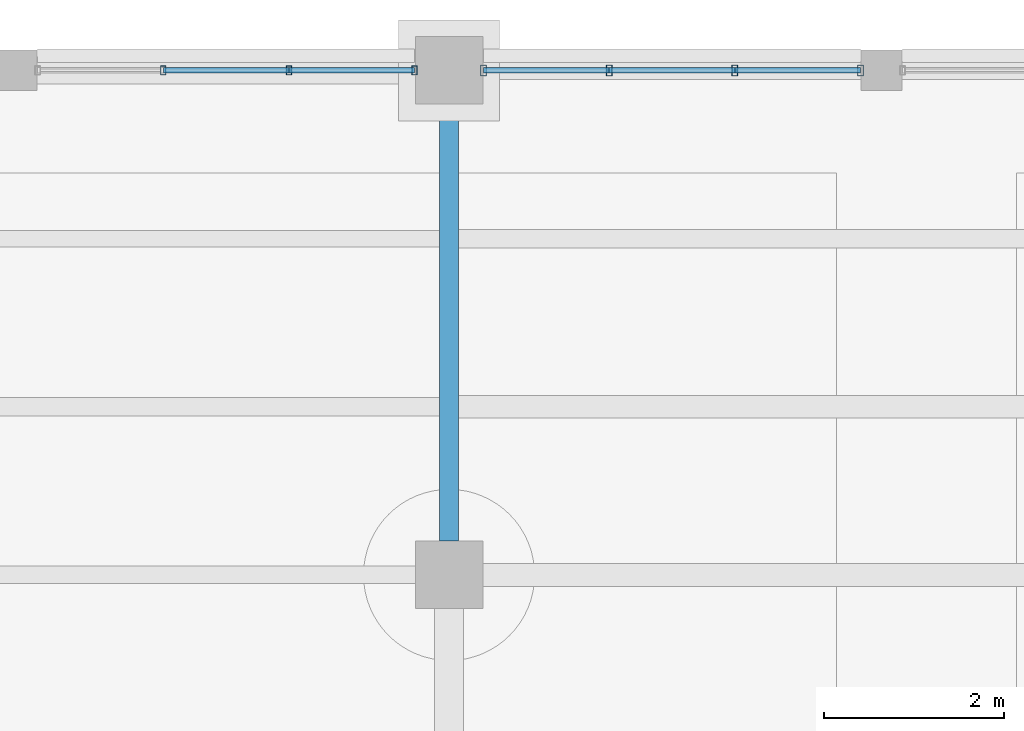
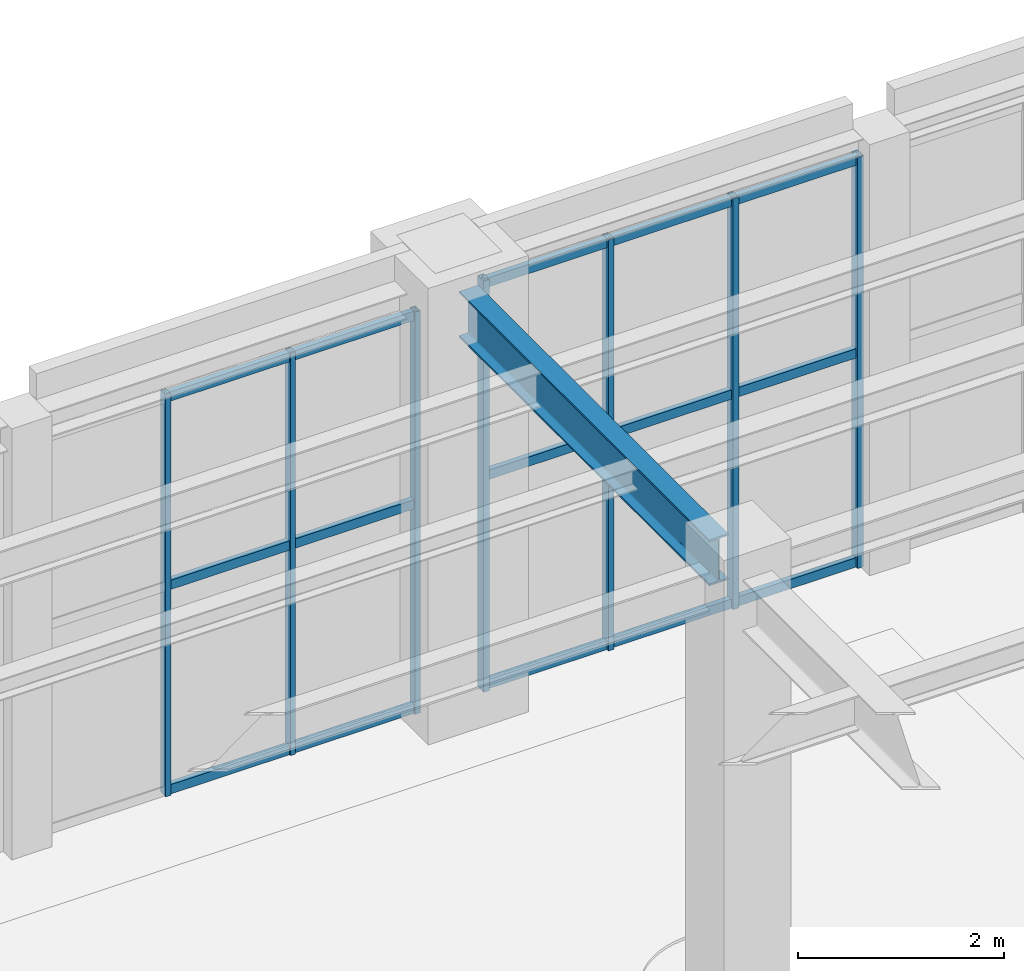
# One storey, part 77 of 164: 22 members, 1 beam, 2 elements without a shape of their own.
"""IFC4 building model written with IfcOpenShell, lengths in metres."""

from ifc_helpers import new_model, si_unit, direction, frame, origin, origin_2d, place, context, subcontext, project, spatial, hollow_rectangle, i_section, extrude, material, material_profile, profile_set, type_object, element, aggregate, save


model = new_model("IFC4")

# Units and contexts
model_context = context("Model", 3, precision=1e-05, world=origin(), true_north=direction((0.0, 1.0)))
body_context = subcontext(model_context, "Body", "Model", "MODEL_VIEW")
ifc_project = project(units=[si_unit("LENGTHUNIT", "METRE"), si_unit("AREAUNIT", "SQUARE_METRE"), si_unit("VOLUMEUNIT", "CUBIC_METRE"), si_unit("PLANEANGLEUNIT", "RADIAN"), si_unit("MASSUNIT", "GRAM", prefix="KILO")], contexts=[model_context])

# Site, building, storey
site_placement = place(None, origin())
site = spatial("IfcSite", under=ifc_project, at=site_placement, CompositionType="ELEMENT")
building_placement = place(site_placement, origin())
building = spatial("IfcBuilding", under=site, at=building_placement, Name="Mavantir Sound Aquarium", CompositionType="ELEMENT")
storey_placement = place(building_placement, origin())
storey = spatial("IfcBuildingStorey", under=building, at=storey_placement, Name="L00", CompositionType="ELEMENT", Elevation=0.0)

# Beam
ifc_material_1 = material(Name="Structural Steel ASTM A992 Gr50", Category="steel")
ifc_material_profile_1 = material_profile(ifc_material_1, i_section(OverallWidth=0.2119140625, OverallDepth=0.5439453125, WebThickness=0.01318359375, FlangeThickness=0.021240234375, FilletRadius=0.01806640625, at=origin_2d()), Name="W530X123")
ifc_profile_set_1 = profile_set([ifc_material_profile_1], Name="Structural Steel ASTM A992 Gr50")
beam_type = type_object("IfcBeamType", Name="BM-W530X123-I", PredefinedType="BEAM", material=ifc_profile_set_1)
beam_placement = place(storey_placement, frame((19.199951171875, 110.77490234375, 4.823974609375), z_axis=(0.0, 1.0, 0.0), x_axis=(-1.0, 0.0, 0.0)))
element("IfcBeam", 1, at=beam_placement, inside=storey, type_object=beam_type, Name="L00 primary girder SB-53 1061", PredefinedType="BEAM", context=body_context, shape_type="SweptSolid", body=[
    extrude(i_section(OverallWidth=0.2119140625, OverallDepth=0.5439453125, WebThickness=0.01318359375, FlangeThickness=0.021240234375, FilletRadius=0.01806640625, at=origin_2d()), origin(), (0.0, 0.0, 1.0), 4.85009765625),
])

# Curtain wall, members
ifc_material_2 = material(Name="Anodised Marine Aluminium and Low-E Glass", Category="aluminium")
curtain_wall_type_1 = type_object("IfcCurtainWallType", Name="CW-T15", PredefinedType="USERDEFINED", material=ifc_material_2)
curtain_wall_1_placement = place(storey_placement, origin())
curtain_wall_1 = element("IfcCurtainWall", 2, at=curtain_wall_1_placement, inside=storey, type_object=curtain_wall_type_1, Name="L00 unitised curtain wall CW-15 39", ObjectType="UNITISED GLAZING", PredefinedType="USERDEFINED")
ifc_material_3 = material(Name="Anodised Marine Aluminium 6063-T6", Category="aluminium")
ifc_material_profile_2 = material_profile(ifc_material_3, hollow_rectangle(XDim=0.06005859375, YDim=0.10009765625, WallThickness=0.00390625, at=origin_2d()), Name="ALU-MULLION-100X60")
ifc_profile_set_2 = profile_set([ifc_material_profile_2], Name="Anodised Marine Aluminium 6063-T6")
member_type_1 = type_object("IfcMemberType", Name="CW-MUL-100", PredefinedType="MULLION", material=ifc_profile_set_2)
member_1_placement = place(storey_placement, frame((18.81689453125, 116.0, 0.0), z_axis=(0.0, 0.0, 1.0), x_axis=(1.0, 0.0, 0.0)))
member_1 = element("IfcMember", 3, at=member_1_placement, type_object=member_type_1, Name="CW-L00-039 vertical mullion 1", PredefinedType="MULLION", context=body_context, shape_type="SweptSolid", body=[
    extrude(hollow_rectangle(XDim=0.06005859375, YDim=0.10009765625, WallThickness=0.00390625, at=origin_2d()), origin(), (0.0, 0.0, 1.0), 4.758056640625),
])
member_2_placement = place(storey_placement, frame((17.42236328125, 116.0, 0.0), z_axis=(0.0, 0.0, 1.0), x_axis=(1.0, 0.0, 0.0)))
member_2 = element("IfcMember", 4, at=member_2_placement, type_object=member_type_1, Name="CW-L00-039 vertical mullion 2", PredefinedType="MULLION", context=body_context, shape_type="SweptSolid", body=[
    extrude(hollow_rectangle(XDim=0.06005859375, YDim=0.10009765625, WallThickness=0.00390625, at=origin_2d()), origin(), (0.0, 0.0, 1.0), 4.758056640625),
])
member_3_placement = place(storey_placement, frame((16.027587890625, 116.0, 0.0), z_axis=(0.0, 0.0, 1.0), x_axis=(1.0, 0.0, 0.0)))
member_3 = element("IfcMember", 5, at=member_3_placement, type_object=member_type_1, Name="CW-L00-039 vertical mullion 3", PredefinedType="MULLION", context=body_context, shape_type="SweptSolid", body=[
    extrude(hollow_rectangle(XDim=0.06005859375, YDim=0.10009765625, WallThickness=0.00390625, at=origin_2d()), origin(), (0.0, 0.0, 1.0), 4.758056640625),
])

curtain_wall_type_2 = type_object("IfcCurtainWallType", Name="CW-T14", PredefinedType="USERDEFINED", material=ifc_material_2)
curtain_wall_2_placement = place(storey_placement, origin())
curtain_wall_2 = element("IfcCurtainWall", 6, at=curtain_wall_2_placement, inside=storey, type_object=curtain_wall_type_2, Name="L00 unitised curtain wall CW-14 38", ObjectType="UNITISED GLAZING", PredefinedType="USERDEFINED")
ifc_material_profile_3 = material_profile(ifc_material_3, hollow_rectangle(XDim=0.06494140625, YDim=0.1201171875, WallThickness=0.00390625, at=origin_2d()), Name="ALU-MULLION-120X65")
ifc_profile_set_3 = profile_set([ifc_material_profile_3], Name="Anodised Marine Aluminium 6063-T6")
member_type_2 = type_object("IfcMemberType", Name="CW-MUL-120", PredefinedType="MULLION", material=ifc_profile_set_3)
member_4_placement = place(storey_placement, frame((23.76708984375, 116.0, 0.0), z_axis=(0.0, 0.0, 1.0), x_axis=(1.0, 0.0, 0.0)))
member_4 = element("IfcMember", 7, at=member_4_placement, type_object=member_type_2, Name="CW-L00-038 vertical mullion 1", PredefinedType="MULLION", context=body_context, shape_type="SweptSolid", body=[
    extrude(hollow_rectangle(XDim=0.06494140625, YDim=0.1201171875, WallThickness=0.00390625, at=origin_2d()), origin(), (0.0, 0.0, 1.0), 4.863037109375),
])
member_5_placement = place(storey_placement, frame((22.372314453125, 116.0, 0.0), z_axis=(0.0, 0.0, 1.0), x_axis=(1.0, 0.0, 0.0)))
member_5 = element("IfcMember", 8, at=member_5_placement, type_object=member_type_2, Name="CW-L00-038 vertical mullion 2", PredefinedType="MULLION", context=body_context, shape_type="SweptSolid", body=[
    extrude(hollow_rectangle(XDim=0.06494140625, YDim=0.1201171875, WallThickness=0.00390625, at=origin_2d()), origin(), (0.0, 0.0, 1.0), 4.863037109375),
])
member_6_placement = place(storey_placement, frame((20.977783203125, 116.0, 0.0), z_axis=(0.0, 0.0, 1.0), x_axis=(1.0, 0.0, 0.0)))
member_6 = element("IfcMember", 9, at=member_6_placement, type_object=member_type_2, Name="CW-L00-038 vertical mullion 3", PredefinedType="MULLION", context=body_context, shape_type="SweptSolid", body=[
    extrude(hollow_rectangle(XDim=0.06494140625, YDim=0.1201171875, WallThickness=0.00390625, at=origin_2d()), origin(), (0.0, 0.0, 1.0), 4.863037109375),
])
member_7_placement = place(storey_placement, frame((19.5830078125, 116.0, 0.0), z_axis=(0.0, 0.0, 1.0), x_axis=(1.0, 0.0, 0.0)))
member_7 = element("IfcMember", 10, at=member_7_placement, type_object=member_type_2, Name="CW-L00-038 vertical mullion 4", PredefinedType="MULLION", context=body_context, shape_type="SweptSolid", body=[
    extrude(hollow_rectangle(XDim=0.06494140625, YDim=0.1201171875, WallThickness=0.00390625, at=origin_2d()), origin(), (0.0, 0.0, 1.0), 4.863037109375),
])
ifc_material_profile_4 = material_profile(ifc_material_3, hollow_rectangle(XDim=0.06005859375, YDim=0.110107421875, WallThickness=0.00390625, at=origin_2d()), Name="ALU-TRANSOM-110X60")
ifc_profile_set_4 = profile_set([ifc_material_profile_4], Name="Anodised Marine Aluminium 6063-T6")
member_type_3 = type_object("IfcMemberType", Name="CW-TRN-110", PredefinedType="USERDEFINED", material=ifc_profile_set_4)
member_8_placement = place(storey_placement, frame((23.76708984375, 116.0, 0.054931640625), z_axis=(-1.0, 0.0, 0.0), x_axis=(0.0, -1.0, 0.0)))
member_8 = element("IfcMember", 11, at=member_8_placement, type_object=member_type_3, Name="CW-L00-038 transom 1.1", ObjectType="TRANSOM", PredefinedType="USERDEFINED", context=body_context, shape_type="SweptSolid", body=[
    extrude(hollow_rectangle(XDim=0.06005859375, YDim=0.110107421875, WallThickness=0.00390625, at=origin_2d()), origin(), (0.0, 0.0, 1.0), 1.394775390625),
])
member_9_placement = place(storey_placement, frame((23.76708984375, 116.0, 2.52880859375), z_axis=(-1.0, 0.0, 0.0), x_axis=(0.0, -1.0, 0.0)))
member_9 = element("IfcMember", 12, at=member_9_placement, type_object=member_type_3, Name="CW-L00-038 transom 1.2", ObjectType="TRANSOM", PredefinedType="USERDEFINED", context=body_context, shape_type="SweptSolid", body=[
    extrude(hollow_rectangle(XDim=0.06005859375, YDim=0.110107421875, WallThickness=0.00390625, at=origin_2d()), origin(), (0.0, 0.0, 1.0), 1.394775390625),
])
member_10_placement = place(storey_placement, frame((23.76708984375, 116.0, 4.80810546875), z_axis=(-1.0, 0.0, 0.0), x_axis=(0.0, -1.0, 0.0)))
member_10 = element("IfcMember", 13, at=member_10_placement, type_object=member_type_3, Name="CW-L00-038 transom 1.3", ObjectType="TRANSOM", PredefinedType="USERDEFINED", context=body_context, shape_type="SweptSolid", body=[
    extrude(hollow_rectangle(XDim=0.06005859375, YDim=0.110107421875, WallThickness=0.00390625, at=origin_2d()), origin(), (0.0, 0.0, 1.0), 1.394775390625),
])
member_11_placement = place(storey_placement, frame((22.372314453125, 116.0, 0.054931640625), z_axis=(-1.0, 0.0, 0.0), x_axis=(0.0, -1.0, 0.0)))
member_11 = element("IfcMember", 14, at=member_11_placement, type_object=member_type_3, Name="CW-L00-038 transom 2.1", ObjectType="TRANSOM", PredefinedType="USERDEFINED", context=body_context, shape_type="SweptSolid", body=[
    extrude(hollow_rectangle(XDim=0.06005859375, YDim=0.110107421875, WallThickness=0.00390625, at=origin_2d()), origin(), (0.0, 0.0, 1.0), 1.39453125),
])
member_12_placement = place(storey_placement, frame((22.372314453125, 116.0, 2.52880859375), z_axis=(-1.0, 0.0, 0.0), x_axis=(0.0, -1.0, 0.0)))
member_12 = element("IfcMember", 15, at=member_12_placement, type_object=member_type_3, Name="CW-L00-038 transom 2.2", ObjectType="TRANSOM", PredefinedType="USERDEFINED", context=body_context, shape_type="SweptSolid", body=[
    extrude(hollow_rectangle(XDim=0.06005859375, YDim=0.110107421875, WallThickness=0.00390625, at=origin_2d()), origin(), (0.0, 0.0, 1.0), 1.39453125),
])
member_13_placement = place(storey_placement, frame((22.372314453125, 116.0, 4.80810546875), z_axis=(-1.0, 0.0, 0.0), x_axis=(0.0, -1.0, 0.0)))
member_13 = element("IfcMember", 16, at=member_13_placement, type_object=member_type_3, Name="CW-L00-038 transom 2.3", ObjectType="TRANSOM", PredefinedType="USERDEFINED", context=body_context, shape_type="SweptSolid", body=[
    extrude(hollow_rectangle(XDim=0.06005859375, YDim=0.110107421875, WallThickness=0.00390625, at=origin_2d()), origin(), (0.0, 0.0, 1.0), 1.39453125),
])
member_14_placement = place(storey_placement, frame((20.977783203125, 116.0, 0.054931640625), z_axis=(-1.0, 0.0, 0.0), x_axis=(0.0, -1.0, 0.0)))
member_14 = element("IfcMember", 17, at=member_14_placement, type_object=member_type_3, Name="CW-L00-038 transom 3.1", ObjectType="TRANSOM", PredefinedType="USERDEFINED", context=body_context, shape_type="SweptSolid", body=[
    extrude(hollow_rectangle(XDim=0.06005859375, YDim=0.110107421875, WallThickness=0.00390625, at=origin_2d()), origin(), (0.0, 0.0, 1.0), 1.394775390625),
])
member_15_placement = place(storey_placement, frame((20.977783203125, 116.0, 2.52880859375), z_axis=(-1.0, 0.0, 0.0), x_axis=(0.0, -1.0, 0.0)))
member_15 = element("IfcMember", 18, at=member_15_placement, type_object=member_type_3, Name="CW-L00-038 transom 3.2", ObjectType="TRANSOM", PredefinedType="USERDEFINED", context=body_context, shape_type="SweptSolid", body=[
    extrude(hollow_rectangle(XDim=0.06005859375, YDim=0.110107421875, WallThickness=0.00390625, at=origin_2d()), origin(), (0.0, 0.0, 1.0), 1.394775390625),
])
member_16_placement = place(storey_placement, frame((20.977783203125, 116.0, 4.80810546875), z_axis=(-1.0, 0.0, 0.0), x_axis=(0.0, -1.0, 0.0)))
member_16 = element("IfcMember", 19, at=member_16_placement, type_object=member_type_3, Name="CW-L00-038 transom 3.3", ObjectType="TRANSOM", PredefinedType="USERDEFINED", context=body_context, shape_type="SweptSolid", body=[
    extrude(hollow_rectangle(XDim=0.06005859375, YDim=0.110107421875, WallThickness=0.00390625, at=origin_2d()), origin(), (0.0, 0.0, 1.0), 1.394775390625),
])
aggregate(curtain_wall_2, [member_4, member_5, member_6, member_7, member_8, member_9, member_10, member_11, member_12, member_13, member_14, member_15, member_16])

# Member
member_17_placement = place(storey_placement, frame((18.81689453125, 116.0, 0.054931640625), z_axis=(-1.0, 0.0, 0.0), x_axis=(0.0, -1.0, 0.0)))
member_17 = element("IfcMember", 20, at=member_17_placement, type_object=member_type_3, Name="CW-L00-039 transom 1.1", ObjectType="TRANSOM", PredefinedType="USERDEFINED", context=body_context, shape_type="SweptSolid", body=[
    extrude(hollow_rectangle(XDim=0.06005859375, YDim=0.110107421875, WallThickness=0.00390625, at=origin_2d()), origin(), (0.0, 0.0, 1.0), 1.39453125),
])

member_18_placement = place(storey_placement, frame((18.81689453125, 116.0, 2.47412109375), z_axis=(-1.0, 0.0, 0.0), x_axis=(0.0, -1.0, 0.0)))
member_18 = element("IfcMember", 21, at=member_18_placement, type_object=member_type_3, Name="CW-L00-039 transom 1.2", ObjectType="TRANSOM", PredefinedType="USERDEFINED", context=body_context, shape_type="SweptSolid", body=[
    extrude(hollow_rectangle(XDim=0.06005859375, YDim=0.110107421875, WallThickness=0.00390625, at=origin_2d()), origin(), (0.0, 0.0, 1.0), 1.39453125),
])

member_19_placement = place(storey_placement, frame((18.81689453125, 116.0, 4.702880859375), z_axis=(-1.0, 0.0, 0.0), x_axis=(0.0, -1.0, 0.0)))
member_19 = element("IfcMember", 22, at=member_19_placement, type_object=member_type_3, Name="CW-L00-039 transom 1.3", ObjectType="TRANSOM", PredefinedType="USERDEFINED", context=body_context, shape_type="SweptSolid", body=[
    extrude(hollow_rectangle(XDim=0.06005859375, YDim=0.110107421875, WallThickness=0.00390625, at=origin_2d()), origin(), (0.0, 0.0, 1.0), 1.39453125),
])

member_20_placement = place(storey_placement, frame((17.42236328125, 116.0, 0.054931640625), z_axis=(-1.0, 0.0, 0.0), x_axis=(0.0, -1.0, 0.0)))
member_20 = element("IfcMember", 23, at=member_20_placement, type_object=member_type_3, Name="CW-L00-039 transom 2.1", ObjectType="TRANSOM", PredefinedType="USERDEFINED", context=body_context, shape_type="SweptSolid", body=[
    extrude(hollow_rectangle(XDim=0.06005859375, YDim=0.110107421875, WallThickness=0.00390625, at=origin_2d()), origin(), (0.0, 0.0, 1.0), 1.394775390625),
])

member_21_placement = place(storey_placement, frame((17.42236328125, 116.0, 2.47412109375), z_axis=(-1.0, 0.0, 0.0), x_axis=(0.0, -1.0, 0.0)))
member_21 = element("IfcMember", 24, at=member_21_placement, type_object=member_type_3, Name="CW-L00-039 transom 2.2", ObjectType="TRANSOM", PredefinedType="USERDEFINED", context=body_context, shape_type="SweptSolid", body=[
    extrude(hollow_rectangle(XDim=0.06005859375, YDim=0.110107421875, WallThickness=0.00390625, at=origin_2d()), origin(), (0.0, 0.0, 1.0), 1.394775390625),
])

member_22_placement = place(storey_placement, frame((17.42236328125, 116.0, 4.702880859375), z_axis=(-1.0, 0.0, 0.0), x_axis=(0.0, -1.0, 0.0)))
member_22 = element("IfcMember", 25, at=member_22_placement, type_object=member_type_3, Name="CW-L00-039 transom 2.3", ObjectType="TRANSOM", PredefinedType="USERDEFINED", context=body_context, shape_type="SweptSolid", body=[
    extrude(hollow_rectangle(XDim=0.06005859375, YDim=0.110107421875, WallThickness=0.00390625, at=origin_2d()), origin(), (0.0, 0.0, 1.0), 1.394775390625),
])

aggregate(curtain_wall_1, [member_1, member_2, member_3, member_17, member_18, member_19, member_20, member_21, member_22])

save(model, "model.ifc")
